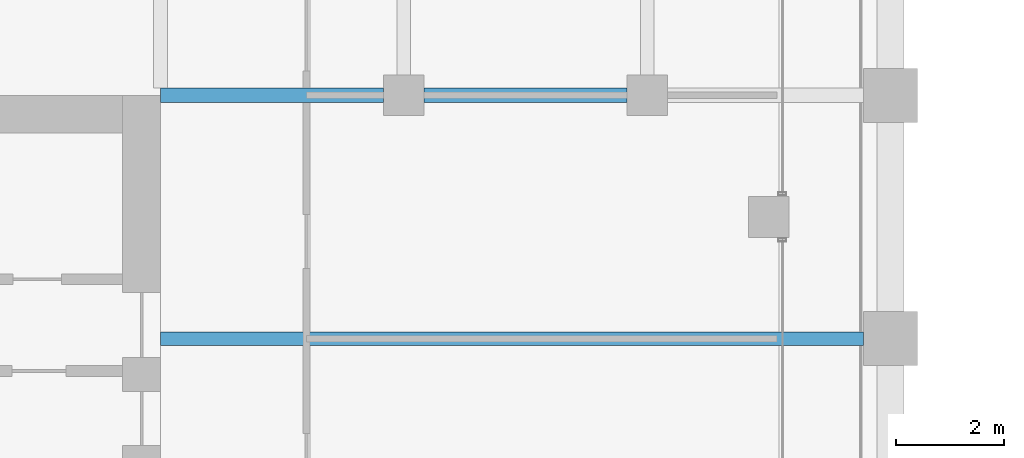
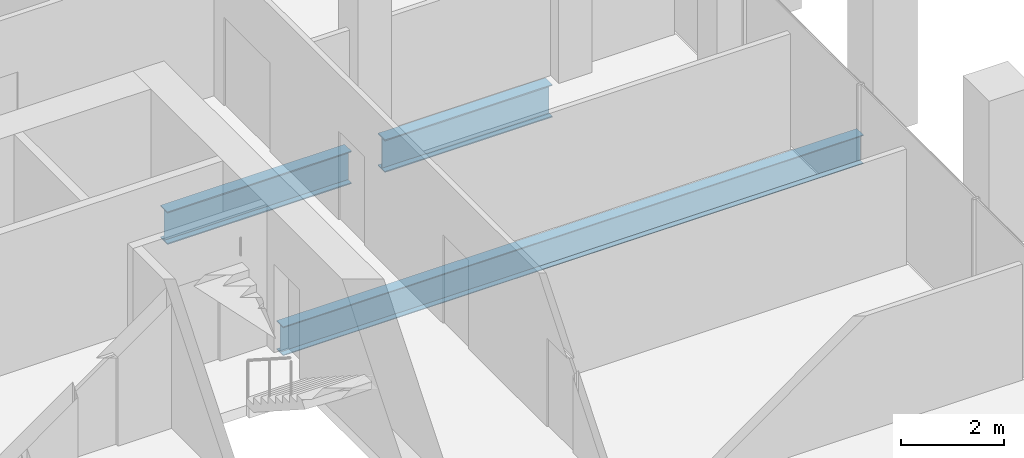
# One storey, part 18 of 46: 3 beams.
"""IFC4 building model written with IfcOpenShell, lengths in metres."""

from ifc_helpers import new_model, si_unit, direction, frame, origin, origin_2d, place, context, subcontext, project, spatial, i_section, extrude, material, material_profile, profile_set, type_object, element, save


model = new_model("IFC4")

# Units and contexts
model_context = context("Model", 3, precision=1e-05, world=origin(), true_north=direction((0.0, 1.0)))
body_context = subcontext(model_context, "Body", "Model", "MODEL_VIEW")
ifc_project = project(units=[si_unit("LENGTHUNIT", "METRE"), si_unit("AREAUNIT", "SQUARE_METRE"), si_unit("VOLUMEUNIT", "CUBIC_METRE"), si_unit("PLANEANGLEUNIT", "RADIAN"), si_unit("MASSUNIT", "GRAM", prefix="KILO")], contexts=[model_context])

# Site, building, storey
site_placement = place(None, origin())
site = spatial("IfcSite", under=ifc_project, at=site_placement, CompositionType="ELEMENT")
building_placement = place(site_placement, origin())
building = spatial("IfcBuilding", under=site, at=building_placement, Name="Altepetl Exchange Towers", CompositionType="ELEMENT")
storey_placement = place(building_placement, frame((0.0, 0.0, 131.60009765625)))
storey = spatial("IfcBuildingStorey", under=building, at=storey_placement, Name="L32", CompositionType="ELEMENT", Elevation=131.60009765625)

# Beams
ifc_material = material(Name="Steel S355", Category="steel")
ifc_material_profile_1 = material_profile(ifc_material, i_section(OverallWidth=0.25390625, OverallDepth=0.68408203125, WebThickness=0.012451171875, FlangeThickness=0.018798828125, at=origin_2d()), Name="W27X94")
ifc_profile_set_1 = profile_set([ifc_material_profile_1], Name="Steel S355")
beam_type_1 = type_object("IfcBeamType", Name="Floor beam W27X94", PredefinedType="BEAM", material=ifc_profile_set_1)
beam_1_placement = place(storey_placement, frame((58.5, 54.0, -0.4921875), z_axis=(1.0, 0.0, 0.0), x_axis=(0.0, 1.0, 0.0)))
element("IfcBeam", 1, at=beam_1_placement, inside=storey, type_object=beam_type_1, Name="bm:A:L32:011", PredefinedType="BEAM", context=body_context, shape_type="SweptSolid", body=[
    extrude(i_section(OverallWidth=0.25390625, OverallDepth=0.68408203125, WebThickness=0.012451171875, FlangeThickness=0.018798828125, at=origin_2d()), origin(), (0.0, 0.0, 1.0), 13.0),
])
ifc_material_profile_2 = material_profile(ifc_material, i_section(OverallWidth=0.26806640625, OverallDepth=0.77392578125, WebThickness=0.015380859375, FlangeThickness=0.025390625, at=origin_2d()), Name="W30X132")
ifc_profile_set_2 = profile_set([ifc_material_profile_2], Name="Steel S355")
beam_type_2 = type_object("IfcBeamType", Name="Girder W30X132", PredefinedType="BEAM", material=ifc_profile_set_2)
beam_2_placement = place(storey_placement, frame((58.5, 58.5, -0.537109375), z_axis=(1.0, 0.0, 0.0), x_axis=(0.0, 1.0, 0.0)))
element("IfcBeam", 2, at=beam_2_placement, inside=storey, type_object=beam_type_2, Name="gd:A:L32:000", PredefinedType="BEAM", context=body_context, shape_type="SweptSolid", body=[
    extrude(i_section(OverallWidth=0.26806640625, OverallDepth=0.77392578125, WebThickness=0.015380859375, FlangeThickness=0.025390625, at=origin_2d()), origin(), (0.0, 0.0, 1.0), 4.125),
])
beam_3_placement = place(storey_placement, frame((63.375, 58.5, -0.537109375), z_axis=(1.0, 0.0, 0.0), x_axis=(0.0, 1.0, 0.0)))
element("IfcBeam", 3, at=beam_3_placement, inside=storey, type_object=beam_type_2, Name="gd:A:L32:001", PredefinedType="BEAM", context=body_context, shape_type="SweptSolid", body=[
    extrude(i_section(OverallWidth=0.26806640625, OverallDepth=0.77392578125, WebThickness=0.015380859375, FlangeThickness=0.025390625, at=origin_2d()), origin(), (0.0, 0.0, 1.0), 3.75),
])

save(model, "model.ifc")
